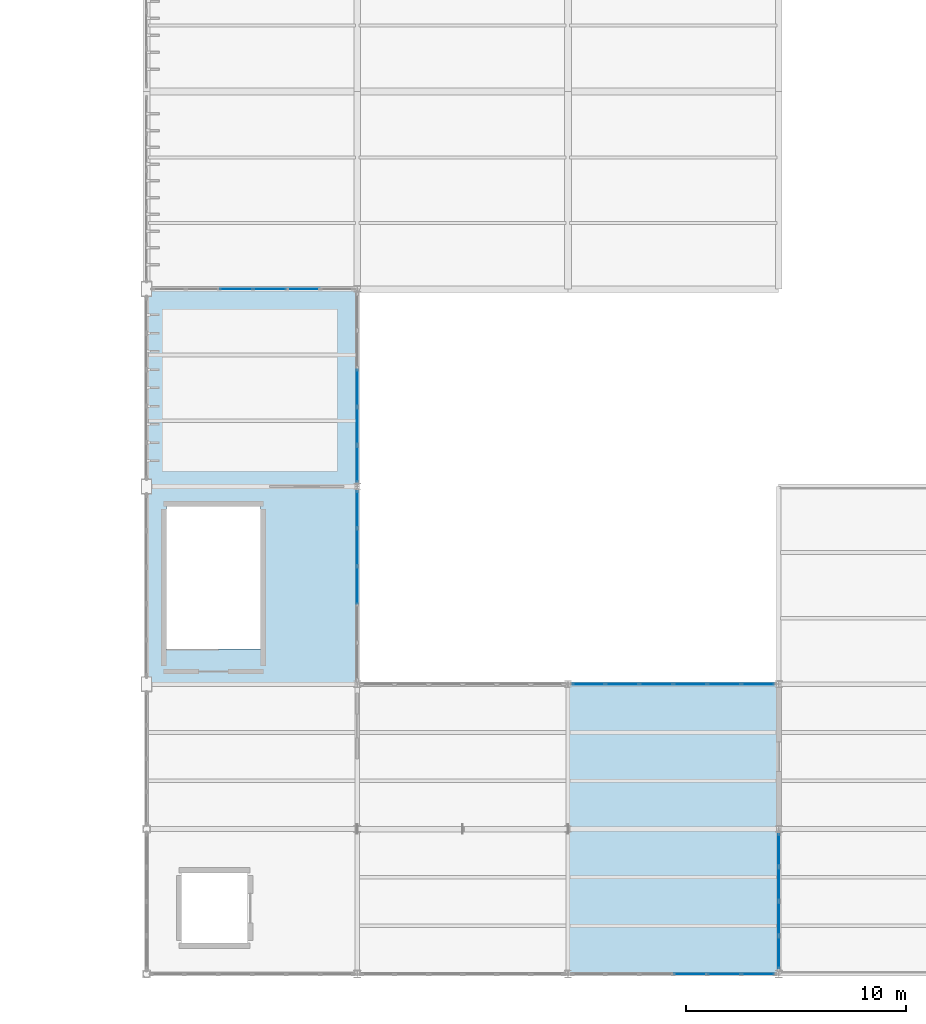
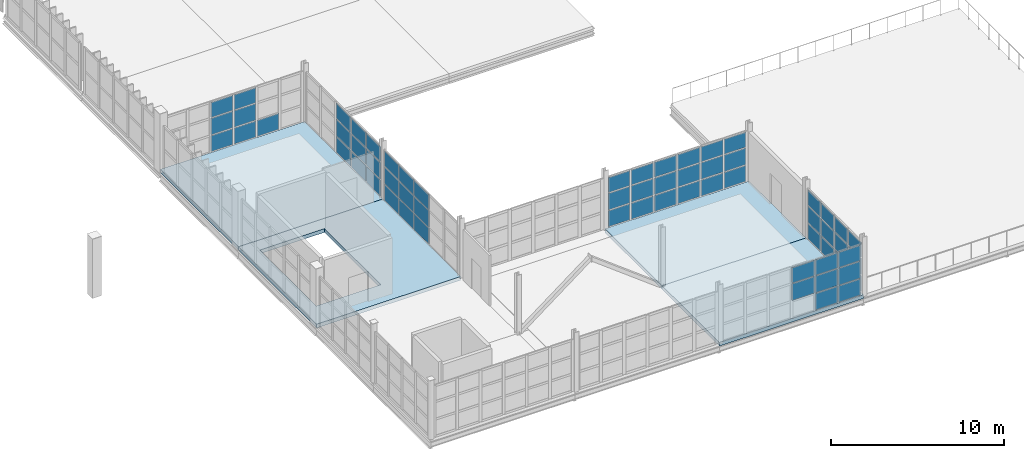
# One storey, part 61 of 82: 63 plates, 4 slabs, 6 elements without a shape of their own.
"""IFC4 building model written with IfcOpenShell, lengths in metres."""

from ifc_helpers import new_model, si_unit, direction, frame, origin, origin_2d, place, context, subcontext, project, spatial, polyline, rectangle, outline, extrude, material, layer, layer_set, type_object, element, aggregate, save


model = new_model("IFC4")

# Units and contexts
model_context = context("Model", 3, precision=1e-05, world=origin(), true_north=direction((0.0, 1.0)))
body_context = subcontext(model_context, "Body", "Model", "MODEL_VIEW")
ifc_project = project(units=[si_unit("LENGTHUNIT", "METRE"), si_unit("AREAUNIT", "SQUARE_METRE"), si_unit("VOLUMEUNIT", "CUBIC_METRE"), si_unit("PLANEANGLEUNIT", "RADIAN"), si_unit("MASSUNIT", "GRAM", prefix="KILO")], contexts=[model_context])

# Site, building, storey
site_placement = place(None, origin())
site = spatial("IfcSite", under=ifc_project, at=site_placement, CompositionType="ELEMENT")
building_placement = place(site_placement, origin())
building = spatial("IfcBuilding", under=site, at=building_placement, Name="Zarnetskaya Central Station", CompositionType="ELEMENT")
storey_placement = place(building_placement, frame((0.0, 0.0, 10.199951171875)))
storey = spatial("IfcBuildingStorey", under=building, at=storey_placement, Name="L02", CompositionType="ELEMENT", Elevation=10.199951171875)

# Curtain wall, plates
ifc_material_1 = material(Name="Low-E insulated glass", Category="glass")
ifc_layer_1 = layer(ifc_material_1, 0.1640625, Name="Low-E insulated glass", Category="glass")
ifc_layer_set_1 = layer_set([ifc_layer_1], Name="Low-E insulated glass")
curtain_wall_type = type_object("IfcCurtainWallType", Name="CW-SYS-07", PredefinedType="USERDEFINED", material=ifc_layer_set_1)
curtain_wall_1_placement = place(storey_placement, origin())
curtain_wall_1 = element("IfcCurtainWall", 1, at=curtain_wall_1_placement, inside=storey, type_object=curtain_wall_type, Name="Curtain wall CW-L02-141", ObjectType="CURTAIN WALL", PredefinedType="USERDEFINED")
ifc_layer_2 = layer(ifc_material_1, 0.031982421875, Name="Low-E insulated glass", Category="glass")
ifc_layer_set_2 = layer_set([ifc_layer_2], Name="Low-E insulated glass")
plate_type_1 = type_object("IfcPlateType", Name="CW-PAN-32", PredefinedType="CURTAIN_PANEL", material=ifc_layer_set_2)
plate_1_placement = place(storey_placement, frame((144.9423828125, 13.199951171875, 0.0703125), z_axis=(0.0, 0.0, 1.0), x_axis=(1.0, 0.0, 0.0)))
plate_1 = element("IfcPlate", 2, at=plate_1_placement, type_object=plate_type_1, Name="CW-06 panel 1.1", PredefinedType="CURTAIN_PANEL", context=body_context, shape_type="SweptSolid", body=[
    extrude(rectangle(XDim=1.445068359375, YDim=0.031982421875, at=origin_2d()), origin(), (0.0, 0.0, 1.0), 1.118896484375),
])
plate_2_placement = place(storey_placement, frame((144.9423828125, 13.199951171875, 1.2587890625), z_axis=(0.0, 0.0, 1.0), x_axis=(1.0, 0.0, 0.0)))
plate_2 = element("IfcPlate", 3, at=plate_2_placement, type_object=plate_type_1, Name="CW-06 panel 1.2", PredefinedType="CURTAIN_PANEL", context=body_context, shape_type="SweptSolid", body=[
    extrude(rectangle(XDim=1.445068359375, YDim=0.031982421875, at=origin_2d()), origin(), (0.0, 0.0, 1.0), 1.154052734375),
])
plate_3_placement = place(storey_placement, frame((144.9423828125, 13.199951171875, 2.48291015625), z_axis=(0.0, 0.0, 1.0), x_axis=(1.0, 0.0, 0.0)))
plate_3 = element("IfcPlate", 4, at=plate_3_placement, type_object=plate_type_1, Name="CW-06 panel 1.3", PredefinedType="CURTAIN_PANEL", context=body_context, shape_type="SweptSolid", body=[
    extrude(rectangle(XDim=1.445068359375, YDim=0.031982421875, at=origin_2d()), origin(), (0.0, 0.0, 1.0), 1.047119140625),
])
plate_4_placement = place(storey_placement, frame((146.47509765625, 13.199951171875, 0.0703125), z_axis=(0.0, 0.0, 1.0), x_axis=(1.0, 0.0, 0.0)))
plate_4 = element("IfcPlate", 5, at=plate_4_placement, type_object=plate_type_1, Name="CW-06 panel 2.1", PredefinedType="CURTAIN_PANEL", context=body_context, shape_type="SweptSolid", body=[
    extrude(rectangle(XDim=1.47998046875, YDim=0.031982421875, at=origin_2d()), origin(), (0.0, 0.0, 1.0), 1.118896484375),
])
plate_5_placement = place(storey_placement, frame((146.47509765625, 13.199951171875, 1.2587890625), z_axis=(0.0, 0.0, 1.0), x_axis=(1.0, 0.0, 0.0)))
plate_5 = element("IfcPlate", 6, at=plate_5_placement, type_object=plate_type_1, Name="CW-06 panel 2.2", PredefinedType="CURTAIN_PANEL", context=body_context, shape_type="SweptSolid", body=[
    extrude(rectangle(XDim=1.47998046875, YDim=0.031982421875, at=origin_2d()), origin(), (0.0, 0.0, 1.0), 1.154052734375),
])
plate_6_placement = place(storey_placement, frame((146.47509765625, 13.199951171875, 2.48291015625), z_axis=(0.0, 0.0, 1.0), x_axis=(1.0, 0.0, 0.0)))
plate_6 = element("IfcPlate", 7, at=plate_6_placement, type_object=plate_type_1, Name="CW-06 panel 2.3", PredefinedType="CURTAIN_PANEL", context=body_context, shape_type="SweptSolid", body=[
    extrude(rectangle(XDim=1.47998046875, YDim=0.031982421875, at=origin_2d()), origin(), (0.0, 0.0, 1.0), 1.047119140625),
])
plate_7_placement = place(storey_placement, frame((148.02490234375, 13.199951171875, 0.0703125), z_axis=(0.0, 0.0, 1.0), x_axis=(1.0, 0.0, 0.0)))
plate_7 = element("IfcPlate", 8, at=plate_7_placement, type_object=plate_type_1, Name="CW-06 panel 3.1", PredefinedType="CURTAIN_PANEL", context=body_context, shape_type="SweptSolid", body=[
    extrude(rectangle(XDim=1.47998046875, YDim=0.031982421875, at=origin_2d()), origin(), (0.0, 0.0, 1.0), 1.118896484375),
])
plate_8_placement = place(storey_placement, frame((148.02490234375, 13.199951171875, 1.2587890625), z_axis=(0.0, 0.0, 1.0), x_axis=(1.0, 0.0, 0.0)))
plate_8 = element("IfcPlate", 9, at=plate_8_placement, type_object=plate_type_1, Name="CW-06 panel 3.2", PredefinedType="CURTAIN_PANEL", context=body_context, shape_type="SweptSolid", body=[
    extrude(rectangle(XDim=1.47998046875, YDim=0.031982421875, at=origin_2d()), origin(), (0.0, 0.0, 1.0), 1.154052734375),
])
plate_9_placement = place(storey_placement, frame((148.02490234375, 13.199951171875, 2.48291015625), z_axis=(0.0, 0.0, 1.0), x_axis=(1.0, 0.0, 0.0)))
plate_9 = element("IfcPlate", 10, at=plate_9_placement, type_object=plate_type_1, Name="CW-06 panel 3.3", PredefinedType="CURTAIN_PANEL", context=body_context, shape_type="SweptSolid", body=[
    extrude(rectangle(XDim=1.47998046875, YDim=0.031982421875, at=origin_2d()), origin(), (0.0, 0.0, 1.0), 1.047119140625),
])
plate_10_placement = place(storey_placement, frame((149.574951171875, 13.199951171875, 0.0703125), z_axis=(0.0, 0.0, 1.0), x_axis=(1.0, 0.0, 0.0)))
plate_10 = element("IfcPlate", 11, at=plate_10_placement, type_object=plate_type_1, Name="CW-06 panel 4.1", PredefinedType="CURTAIN_PANEL", context=body_context, shape_type="SweptSolid", body=[
    extrude(rectangle(XDim=1.47998046875, YDim=0.031982421875, at=origin_2d()), origin(), (0.0, 0.0, 1.0), 1.118896484375),
])
plate_11_placement = place(storey_placement, frame((149.574951171875, 13.199951171875, 1.2587890625), z_axis=(0.0, 0.0, 1.0), x_axis=(1.0, 0.0, 0.0)))
plate_11 = element("IfcPlate", 12, at=plate_11_placement, type_object=plate_type_1, Name="CW-06 panel 4.2", PredefinedType="CURTAIN_PANEL", context=body_context, shape_type="SweptSolid", body=[
    extrude(rectangle(XDim=1.47998046875, YDim=0.031982421875, at=origin_2d()), origin(), (0.0, 0.0, 1.0), 1.154052734375),
])
plate_12_placement = place(storey_placement, frame((149.574951171875, 13.199951171875, 2.48291015625), z_axis=(0.0, 0.0, 1.0), x_axis=(1.0, 0.0, 0.0)))
plate_12 = element("IfcPlate", 13, at=plate_12_placement, type_object=plate_type_1, Name="CW-06 panel 4.3", PredefinedType="CURTAIN_PANEL", context=body_context, shape_type="SweptSolid", body=[
    extrude(rectangle(XDim=1.47998046875, YDim=0.031982421875, at=origin_2d()), origin(), (0.0, 0.0, 1.0), 1.047119140625),
])
plate_13_placement = place(storey_placement, frame((151.125, 13.199951171875, 0.0703125), z_axis=(0.0, 0.0, 1.0), x_axis=(1.0, 0.0, 0.0)))
plate_13 = element("IfcPlate", 14, at=plate_13_placement, type_object=plate_type_1, Name="CW-06 panel 5.1", PredefinedType="CURTAIN_PANEL", context=body_context, shape_type="SweptSolid", body=[
    extrude(rectangle(XDim=1.47998046875, YDim=0.031982421875, at=origin_2d()), origin(), (0.0, 0.0, 1.0), 1.118896484375),
])
plate_14_placement = place(storey_placement, frame((151.125, 13.199951171875, 1.2587890625), z_axis=(0.0, 0.0, 1.0), x_axis=(1.0, 0.0, 0.0)))
plate_14 = element("IfcPlate", 15, at=plate_14_placement, type_object=plate_type_1, Name="CW-06 panel 5.2", PredefinedType="CURTAIN_PANEL", context=body_context, shape_type="SweptSolid", body=[
    extrude(rectangle(XDim=1.47998046875, YDim=0.031982421875, at=origin_2d()), origin(), (0.0, 0.0, 1.0), 1.154052734375),
])
plate_15_placement = place(storey_placement, frame((151.125, 13.199951171875, 2.48291015625), z_axis=(0.0, 0.0, 1.0), x_axis=(1.0, 0.0, 0.0)))
plate_15 = element("IfcPlate", 16, at=plate_15_placement, type_object=plate_type_1, Name="CW-06 panel 5.3", PredefinedType="CURTAIN_PANEL", context=body_context, shape_type="SweptSolid", body=[
    extrude(rectangle(XDim=1.47998046875, YDim=0.031982421875, at=origin_2d()), origin(), (0.0, 0.0, 1.0), 1.047119140625),
])
plate_16_placement = place(storey_placement, frame((152.657470703125, 13.199951171875, 0.0703125), z_axis=(0.0, 0.0, 1.0), x_axis=(1.0, 0.0, 0.0)))
plate_16 = element("IfcPlate", 17, at=plate_16_placement, type_object=plate_type_1, Name="CW-06 panel 6.1", PredefinedType="CURTAIN_PANEL", context=body_context, shape_type="SweptSolid", body=[
    extrude(rectangle(XDim=1.445068359375, YDim=0.031982421875, at=origin_2d()), origin(), (0.0, 0.0, 1.0), 1.118896484375),
])
plate_17_placement = place(storey_placement, frame((152.657470703125, 13.199951171875, 1.2587890625), z_axis=(0.0, 0.0, 1.0), x_axis=(1.0, 0.0, 0.0)))
plate_17 = element("IfcPlate", 18, at=plate_17_placement, type_object=plate_type_1, Name="CW-06 panel 6.2", PredefinedType="CURTAIN_PANEL", context=body_context, shape_type="SweptSolid", body=[
    extrude(rectangle(XDim=1.445068359375, YDim=0.031982421875, at=origin_2d()), origin(), (0.0, 0.0, 1.0), 1.154052734375),
])
plate_18_placement = place(storey_placement, frame((152.657470703125, 13.199951171875, 2.48291015625), z_axis=(0.0, 0.0, 1.0), x_axis=(1.0, 0.0, 0.0)))
plate_18 = element("IfcPlate", 19, at=plate_18_placement, type_object=plate_type_1, Name="CW-06 panel 6.3", PredefinedType="CURTAIN_PANEL", context=body_context, shape_type="SweptSolid", body=[
    extrude(rectangle(XDim=1.445068359375, YDim=0.031982421875, at=origin_2d()), origin(), (0.0, 0.0, 1.0), 1.047119140625),
])
aggregate(curtain_wall_1, [plate_1, plate_2, plate_3, plate_4, plate_5, plate_6, plate_7, plate_8, plate_9, plate_10, plate_11, plate_12, plate_13, plate_14, plate_15, plate_16, plate_17, plate_18])

curtain_wall_2_placement = place(storey_placement, origin())
curtain_wall_2 = element("IfcCurtainWall", 20, at=curtain_wall_2_placement, inside=storey, type_object=curtain_wall_type, Name="Curtain wall CW-L02-137", ObjectType="CURTAIN WALL", PredefinedType="USERDEFINED")
ifc_layer_3 = layer(ifc_material_1, 0.035888671875, Name="Low-E insulated glass", Category="glass")
ifc_layer_set_3 = layer_set([ifc_layer_3], Name="Low-E insulated glass")
plate_type_2 = type_object("IfcPlateType", Name="CW-PAN-36", PredefinedType="CURTAIN_PANEL", material=ifc_layer_set_3)
plate_19_placement = place(storey_placement, frame((128.88330078125, 31.199951171875, 0.0703125), z_axis=(0.0, 0.0, 1.0), x_axis=(1.0, 0.0, 0.0)))
plate_19 = element("IfcPlate", 21, at=plate_19_placement, type_object=plate_type_2, Name="CW-06 panel 3.1", PredefinedType="CURTAIN_PANEL", context=body_context, shape_type="SweptSolid", body=[
    extrude(rectangle(XDim=1.46337890625, YDim=0.035888671875, at=origin_2d()), origin(), (0.0, 0.0, 1.0), 1.118896484375),
])
plate_20_placement = place(storey_placement, frame((128.88330078125, 31.199951171875, 1.2587890625), z_axis=(0.0, 0.0, 1.0), x_axis=(1.0, 0.0, 0.0)))
plate_20 = element("IfcPlate", 22, at=plate_20_placement, type_object=plate_type_2, Name="CW-06 panel 3.2", PredefinedType="CURTAIN_PANEL", context=body_context, shape_type="SweptSolid", body=[
    extrude(rectangle(XDim=1.46337890625, YDim=0.035888671875, at=origin_2d()), origin(), (0.0, 0.0, 1.0), 1.154052734375),
])
plate_21_placement = place(storey_placement, frame((128.88330078125, 31.199951171875, 2.48291015625), z_axis=(0.0, 0.0, 1.0), x_axis=(1.0, 0.0, 0.0)))
plate_21 = element("IfcPlate", 23, at=plate_21_placement, type_object=plate_type_2, Name="CW-06 panel 3.3", PredefinedType="CURTAIN_PANEL", context=body_context, shape_type="SweptSolid", body=[
    extrude(rectangle(XDim=1.46337890625, YDim=0.035888671875, at=origin_2d()), origin(), (0.0, 0.0, 1.0), 1.047119140625),
])
plate_22_placement = place(storey_placement, frame((130.416748046875, 31.199951171875, 0.0703125), z_axis=(0.0, 0.0, 1.0), x_axis=(1.0, 0.0, 0.0)))
plate_22 = element("IfcPlate", 24, at=plate_22_placement, type_object=plate_type_2, Name="CW-06 panel 4.1", PredefinedType="CURTAIN_PANEL", context=body_context, shape_type="SweptSolid", body=[
    extrude(rectangle(XDim=1.46337890625, YDim=0.035888671875, at=origin_2d()), origin(), (0.0, 0.0, 1.0), 1.118896484375),
])
plate_23_placement = place(storey_placement, frame((130.416748046875, 31.199951171875, 1.2587890625), z_axis=(0.0, 0.0, 1.0), x_axis=(1.0, 0.0, 0.0)))
plate_23 = element("IfcPlate", 25, at=plate_23_placement, type_object=plate_type_2, Name="CW-06 panel 4.2", PredefinedType="CURTAIN_PANEL", context=body_context, shape_type="SweptSolid", body=[
    extrude(rectangle(XDim=1.46337890625, YDim=0.035888671875, at=origin_2d()), origin(), (0.0, 0.0, 1.0), 1.154052734375),
])
plate_24_placement = place(storey_placement, frame((130.416748046875, 31.199951171875, 2.48291015625), z_axis=(0.0, 0.0, 1.0), x_axis=(1.0, 0.0, 0.0)))
plate_24 = element("IfcPlate", 26, at=plate_24_placement, type_object=plate_type_2, Name="CW-06 panel 4.3", PredefinedType="CURTAIN_PANEL", context=body_context, shape_type="SweptSolid", body=[
    extrude(rectangle(XDim=1.46337890625, YDim=0.035888671875, at=origin_2d()), origin(), (0.0, 0.0, 1.0), 1.047119140625),
])
plate_25_placement = place(storey_placement, frame((131.949951171875, 31.199951171875, 0.0703125), z_axis=(0.0, 0.0, 1.0), x_axis=(1.0, 0.0, 0.0)))
plate_25 = element("IfcPlate", 27, at=plate_25_placement, type_object=plate_type_2, Name="CW-06 panel 5.1", PredefinedType="CURTAIN_PANEL", context=body_context, shape_type="SweptSolid", body=[
    extrude(rectangle(XDim=1.46337890625, YDim=0.035888671875, at=origin_2d()), origin(), (0.0, 0.0, 1.0), 1.118896484375),
])
aggregate(curtain_wall_2, [plate_19, plate_20, plate_21, plate_22, plate_23, plate_24, plate_25])

curtain_wall_3_placement = place(storey_placement, origin())
curtain_wall_3 = element("IfcCurtainWall", 28, at=curtain_wall_3_placement, inside=storey, type_object=curtain_wall_type, Name="Curtain wall CW-L02-142", ObjectType="CURTAIN WALL", PredefinedType="USERDEFINED")
plate_26_placement = place(storey_placement, frame((153.60009765625, 5.646240234375, 0.080078125), z_axis=(0.0, 0.0, 1.0), x_axis=(0.0, -1.0, 0.0)))
plate_26 = element("IfcPlate", 29, at=plate_26_placement, type_object=plate_type_2, Name="CW-06 panel 1.1", PredefinedType="CURTAIN_PANEL", context=body_context, shape_type="SweptSolid", body=[
    extrude(rectangle(XDim=1.447509765625, YDim=0.035888671875, at=origin_2d()), origin(), (0.0, 0.0, 1.0), 1.10400390625),
])
plate_27_placement = place(storey_placement, frame((153.60009765625, 5.646240234375, 1.263916015625), z_axis=(0.0, 0.0, 1.0), x_axis=(0.0, -1.0, 0.0)))
plate_27 = element("IfcPlate", 30, at=plate_27_placement, type_object=plate_type_2, Name="CW-06 panel 1.2", PredefinedType="CURTAIN_PANEL", context=body_context, shape_type="SweptSolid", body=[
    extrude(rectangle(XDim=1.447509765625, YDim=0.035888671875, at=origin_2d()), origin(), (0.0, 0.0, 1.0), 1.14404296875),
])
plate_28_placement = place(storey_placement, frame((153.60009765625, 5.646240234375, 2.48828125), z_axis=(0.0, 0.0, 1.0), x_axis=(0.0, -1.0, 0.0)))
plate_28 = element("IfcPlate", 31, at=plate_28_placement, type_object=plate_type_2, Name="CW-06 panel 1.3", PredefinedType="CURTAIN_PANEL", context=body_context, shape_type="SweptSolid", body=[
    extrude(rectangle(XDim=1.447509765625, YDim=0.035888671875, at=origin_2d()), origin(), (0.0, 0.0, 1.0), 1.031982421875),
])
plate_29_placement = place(storey_placement, frame((153.60009765625, 4.0986328125, 0.080078125), z_axis=(0.0, 0.0, 1.0), x_axis=(0.0, -1.0, 0.0)))
plate_29 = element("IfcPlate", 32, at=plate_29_placement, type_object=plate_type_2, Name="CW-06 panel 2.1", PredefinedType="CURTAIN_PANEL", context=body_context, shape_type="SweptSolid", body=[
    extrude(rectangle(XDim=1.487548828125, YDim=0.035888671875, at=origin_2d()), origin(), (0.0, 0.0, 1.0), 1.10400390625),
])
plate_30_placement = place(storey_placement, frame((153.60009765625, 4.0986328125, 1.263916015625), z_axis=(0.0, 0.0, 1.0), x_axis=(0.0, -1.0, 0.0)))
plate_30 = element("IfcPlate", 33, at=plate_30_placement, type_object=plate_type_2, Name="CW-06 panel 2.2", PredefinedType="CURTAIN_PANEL", context=body_context, shape_type="SweptSolid", body=[
    extrude(rectangle(XDim=1.487548828125, YDim=0.035888671875, at=origin_2d()), origin(), (0.0, 0.0, 1.0), 1.14404296875),
])
plate_31_placement = place(storey_placement, frame((153.60009765625, 4.0986328125, 2.48828125), z_axis=(0.0, 0.0, 1.0), x_axis=(0.0, -1.0, 0.0)))
plate_31 = element("IfcPlate", 34, at=plate_31_placement, type_object=plate_type_2, Name="CW-06 panel 2.3", PredefinedType="CURTAIN_PANEL", context=body_context, shape_type="SweptSolid", body=[
    extrude(rectangle(XDim=1.487548828125, YDim=0.035888671875, at=origin_2d()), origin(), (0.0, 0.0, 1.0), 1.031982421875),
])
plate_32_placement = place(storey_placement, frame((153.60009765625, 2.53125, 0.080078125), z_axis=(0.0, 0.0, 1.0), x_axis=(0.0, -1.0, 0.0)))
plate_32 = element("IfcPlate", 35, at=plate_32_placement, type_object=plate_type_2, Name="CW-06 panel 3.1", PredefinedType="CURTAIN_PANEL", context=body_context, shape_type="SweptSolid", body=[
    extrude(rectangle(XDim=1.487548828125, YDim=0.035888671875, at=origin_2d()), origin(), (0.0, 0.0, 1.0), 1.10400390625),
])
plate_33_placement = place(storey_placement, frame((153.60009765625, 2.53125, 1.263916015625), z_axis=(0.0, 0.0, 1.0), x_axis=(0.0, -1.0, 0.0)))
plate_33 = element("IfcPlate", 36, at=plate_33_placement, type_object=plate_type_2, Name="CW-06 panel 3.2", PredefinedType="CURTAIN_PANEL", context=body_context, shape_type="SweptSolid", body=[
    extrude(rectangle(XDim=1.487548828125, YDim=0.035888671875, at=origin_2d()), origin(), (0.0, 0.0, 1.0), 1.14404296875),
])
plate_34_placement = place(storey_placement, frame((153.60009765625, 2.53125, 2.48828125), z_axis=(0.0, 0.0, 1.0), x_axis=(0.0, -1.0, 0.0)))
plate_34 = element("IfcPlate", 37, at=plate_34_placement, type_object=plate_type_2, Name="CW-06 panel 3.3", PredefinedType="CURTAIN_PANEL", context=body_context, shape_type="SweptSolid", body=[
    extrude(rectangle(XDim=1.487548828125, YDim=0.035888671875, at=origin_2d()), origin(), (0.0, 0.0, 1.0), 1.031982421875),
])
plate_35_placement = place(storey_placement, frame((153.60009765625, 0.983642578125, 0.080078125), z_axis=(0.0, 0.0, 1.0), x_axis=(0.0, -1.0, 0.0)))
plate_35 = element("IfcPlate", 38, at=plate_35_placement, type_object=plate_type_2, Name="CW-06 panel 4.1", PredefinedType="CURTAIN_PANEL", context=body_context, shape_type="SweptSolid", body=[
    extrude(rectangle(XDim=1.447509765625, YDim=0.035888671875, at=origin_2d()), origin(), (0.0, 0.0, 1.0), 1.10400390625),
])
plate_36_placement = place(storey_placement, frame((153.60009765625, 0.983642578125, 1.263916015625), z_axis=(0.0, 0.0, 1.0), x_axis=(0.0, -1.0, 0.0)))
plate_36 = element("IfcPlate", 39, at=plate_36_placement, type_object=plate_type_2, Name="CW-06 panel 4.2", PredefinedType="CURTAIN_PANEL", context=body_context, shape_type="SweptSolid", body=[
    extrude(rectangle(XDim=1.447509765625, YDim=0.035888671875, at=origin_2d()), origin(), (0.0, 0.0, 1.0), 1.14404296875),
])
plate_37_placement = place(storey_placement, frame((153.60009765625, 0.983642578125, 2.48828125), z_axis=(0.0, 0.0, 1.0), x_axis=(0.0, -1.0, 0.0)))
plate_37 = element("IfcPlate", 40, at=plate_37_placement, type_object=plate_type_2, Name="CW-06 panel 4.3", PredefinedType="CURTAIN_PANEL", context=body_context, shape_type="SweptSolid", body=[
    extrude(rectangle(XDim=1.447509765625, YDim=0.035888671875, at=origin_2d()), origin(), (0.0, 0.0, 1.0), 1.031982421875),
])
aggregate(curtain_wall_3, [plate_26, plate_27, plate_28, plate_29, plate_30, plate_31, plate_32, plate_33, plate_34, plate_35, plate_36, plate_37])

curtain_wall_4_placement = place(storey_placement, origin())
curtain_wall_4 = element("IfcCurtainWall", 41, at=curtain_wall_4_placement, inside=storey, type_object=curtain_wall_type, Name="Curtain wall CW-L02-138", ObjectType="CURTAIN WALL", PredefinedType="USERDEFINED")
ifc_layer_4 = layer(ifc_material_1, 0.0400390625, Name="Low-E insulated glass", Category="glass")
ifc_layer_set_4 = layer_set([ifc_layer_4], Name="Low-E insulated glass")
plate_type_3 = type_object("IfcPlateType", Name="CW-PAN-40", PredefinedType="CURTAIN_PANEL", material=ifc_layer_set_4)
plate_38_placement = place(storey_placement, frame((134.39990234375, 26.699951171875, 0.080078125), z_axis=(0.0, 0.0, 1.0), x_axis=(0.0, -1.0, 0.0)))
plate_38 = element("IfcPlate", 42, at=plate_38_placement, type_object=plate_type_3, Name="CW-06 panel 3.1", PredefinedType="CURTAIN_PANEL", context=body_context, shape_type="SweptSolid", body=[
    extrude(rectangle(XDim=1.659912109375, YDim=0.0400390625, at=origin_2d()), origin(), (0.0, 0.0, 1.0), 1.10400390625),
])
plate_39_placement = place(storey_placement, frame((134.39990234375, 26.699951171875, 1.263916015625), z_axis=(0.0, 0.0, 1.0), x_axis=(0.0, -1.0, 0.0)))
plate_39 = element("IfcPlate", 43, at=plate_39_placement, type_object=plate_type_3, Name="CW-06 panel 3.2", PredefinedType="CURTAIN_PANEL", context=body_context, shape_type="SweptSolid", body=[
    extrude(rectangle(XDim=1.659912109375, YDim=0.0400390625, at=origin_2d()), origin(), (0.0, 0.0, 1.0), 1.14404296875),
])
plate_40_placement = place(storey_placement, frame((134.39990234375, 26.699951171875, 2.48828125), z_axis=(0.0, 0.0, 1.0), x_axis=(0.0, -1.0, 0.0)))
plate_40 = element("IfcPlate", 44, at=plate_40_placement, type_object=plate_type_3, Name="CW-06 panel 3.3", PredefinedType="CURTAIN_PANEL", context=body_context, shape_type="SweptSolid", body=[
    extrude(rectangle(XDim=1.659912109375, YDim=0.0400390625, at=origin_2d()), origin(), (0.0, 0.0, 1.0), 1.031982421875),
])
plate_41_placement = place(storey_placement, frame((134.39990234375, 24.9599609375, 0.080078125), z_axis=(0.0, 0.0, 1.0), x_axis=(0.0, -1.0, 0.0)))
plate_41 = element("IfcPlate", 45, at=plate_41_placement, type_object=plate_type_3, Name="CW-06 panel 4.1", PredefinedType="CURTAIN_PANEL", context=body_context, shape_type="SweptSolid", body=[
    extrude(rectangle(XDim=1.659912109375, YDim=0.0400390625, at=origin_2d()), origin(), (0.0, 0.0, 1.0), 1.10400390625),
])
plate_42_placement = place(storey_placement, frame((134.39990234375, 24.9599609375, 1.263916015625), z_axis=(0.0, 0.0, 1.0), x_axis=(0.0, -1.0, 0.0)))
plate_42 = element("IfcPlate", 46, at=plate_42_placement, type_object=plate_type_3, Name="CW-06 panel 4.2", PredefinedType="CURTAIN_PANEL", context=body_context, shape_type="SweptSolid", body=[
    extrude(rectangle(XDim=1.659912109375, YDim=0.0400390625, at=origin_2d()), origin(), (0.0, 0.0, 1.0), 1.14404296875),
])
plate_43_placement = place(storey_placement, frame((134.39990234375, 24.9599609375, 2.48828125), z_axis=(0.0, 0.0, 1.0), x_axis=(0.0, -1.0, 0.0)))
plate_43 = element("IfcPlate", 47, at=plate_43_placement, type_object=plate_type_3, Name="CW-06 panel 4.3", PredefinedType="CURTAIN_PANEL", context=body_context, shape_type="SweptSolid", body=[
    extrude(rectangle(XDim=1.659912109375, YDim=0.0400390625, at=origin_2d()), origin(), (0.0, 0.0, 1.0), 1.031982421875),
])
plate_44_placement = place(storey_placement, frame((134.39990234375, 23.239990234375, 0.080078125), z_axis=(0.0, 0.0, 1.0), x_axis=(0.0, -1.0, 0.0)))
plate_44 = element("IfcPlate", 48, at=plate_44_placement, type_object=plate_type_3, Name="CW-06 panel 5.1", PredefinedType="CURTAIN_PANEL", context=body_context, shape_type="SweptSolid", body=[
    extrude(rectangle(XDim=1.6201171875, YDim=0.0400390625, at=origin_2d()), origin(), (0.0, 0.0, 1.0), 1.10400390625),
])
plate_45_placement = place(storey_placement, frame((134.39990234375, 23.239990234375, 1.263916015625), z_axis=(0.0, 0.0, 1.0), x_axis=(0.0, -1.0, 0.0)))
plate_45 = element("IfcPlate", 49, at=plate_45_placement, type_object=plate_type_3, Name="CW-06 panel 5.2", PredefinedType="CURTAIN_PANEL", context=body_context, shape_type="SweptSolid", body=[
    extrude(rectangle(XDim=1.6201171875, YDim=0.0400390625, at=origin_2d()), origin(), (0.0, 0.0, 1.0), 1.14404296875),
])
plate_46_placement = place(storey_placement, frame((134.39990234375, 23.239990234375, 2.48828125), z_axis=(0.0, 0.0, 1.0), x_axis=(0.0, -1.0, 0.0)))
plate_46 = element("IfcPlate", 50, at=plate_46_placement, type_object=plate_type_3, Name="CW-06 panel 5.3", PredefinedType="CURTAIN_PANEL", context=body_context, shape_type="SweptSolid", body=[
    extrude(rectangle(XDim=1.6201171875, YDim=0.0400390625, at=origin_2d()), origin(), (0.0, 0.0, 1.0), 1.031982421875),
])
aggregate(curtain_wall_4, [plate_38, plate_39, plate_40, plate_41, plate_42, plate_43, plate_44, plate_45, plate_46])

curtain_wall_5_placement = place(storey_placement, origin())
curtain_wall_5 = element("IfcCurtainWall", 51, at=curtain_wall_5_placement, inside=storey, type_object=curtain_wall_type, Name="Curtain wall CW-L02-143", ObjectType="CURTAIN WALL", PredefinedType="USERDEFINED")
plate_47_placement = place(storey_placement, frame((152.657470703125, 0.0, 0.06982421875), z_axis=(0.0, 0.0, 1.0), x_axis=(-1.0, 0.0, 0.0)))
plate_47 = element("IfcPlate", 52, at=plate_47_placement, type_object=plate_type_3, Name="CW-06 panel 1.1", PredefinedType="CURTAIN_PANEL", context=body_context, shape_type="SweptSolid", body=[
    extrude(rectangle(XDim=1.445068359375, YDim=0.0400390625, at=origin_2d()), origin(), (0.0, 0.0, 1.0), 1.133056640625),
])
plate_48_placement = place(storey_placement, frame((152.657470703125, 0.0, 1.27294921875), z_axis=(0.0, 0.0, 1.0), x_axis=(-1.0, 0.0, 0.0)))
plate_48 = element("IfcPlate", 53, at=plate_48_placement, type_object=plate_type_3, Name="CW-06 panel 1.2", PredefinedType="CURTAIN_PANEL", context=body_context, shape_type="SweptSolid", body=[
    extrude(rectangle(XDim=1.445068359375, YDim=0.0400390625, at=origin_2d()), origin(), (0.0, 0.0, 1.0), 1.1669921875),
])
plate_49_placement = place(storey_placement, frame((152.657470703125, 0.0, 2.510009765625), z_axis=(0.0, 0.0, 1.0), x_axis=(-1.0, 0.0, 0.0)))
plate_49 = element("IfcPlate", 54, at=plate_49_placement, type_object=plate_type_3, Name="CW-06 panel 1.3", PredefinedType="CURTAIN_PANEL", context=body_context, shape_type="SweptSolid", body=[
    extrude(rectangle(XDim=1.445068359375, YDim=0.0400390625, at=origin_2d()), origin(), (0.0, 0.0, 1.0), 1.06005859375),
])
plate_50_placement = place(storey_placement, frame((151.125, 0.0, 0.06982421875), z_axis=(0.0, 0.0, 1.0), x_axis=(-1.0, 0.0, 0.0)))
plate_50 = element("IfcPlate", 55, at=plate_50_placement, type_object=plate_type_3, Name="CW-06 panel 2.1", PredefinedType="CURTAIN_PANEL", context=body_context, shape_type="SweptSolid", body=[
    extrude(rectangle(XDim=1.47998046875, YDim=0.0400390625, at=origin_2d()), origin(), (0.0, 0.0, 1.0), 1.133056640625),
])
plate_51_placement = place(storey_placement, frame((151.125, 0.0, 1.27294921875), z_axis=(0.0, 0.0, 1.0), x_axis=(-1.0, 0.0, 0.0)))
plate_51 = element("IfcPlate", 56, at=plate_51_placement, type_object=plate_type_3, Name="CW-06 panel 2.2", PredefinedType="CURTAIN_PANEL", context=body_context, shape_type="SweptSolid", body=[
    extrude(rectangle(XDim=1.47998046875, YDim=0.0400390625, at=origin_2d()), origin(), (0.0, 0.0, 1.0), 1.1669921875),
])
plate_52_placement = place(storey_placement, frame((151.125, 0.0, 2.510009765625), z_axis=(0.0, 0.0, 1.0), x_axis=(-1.0, 0.0, 0.0)))
plate_52 = element("IfcPlate", 57, at=plate_52_placement, type_object=plate_type_3, Name="CW-06 panel 2.3", PredefinedType="CURTAIN_PANEL", context=body_context, shape_type="SweptSolid", body=[
    extrude(rectangle(XDim=1.47998046875, YDim=0.0400390625, at=origin_2d()), origin(), (0.0, 0.0, 1.0), 1.06005859375),
])
plate_53_placement = place(storey_placement, frame((149.574951171875, 0.0, 1.27294921875), z_axis=(0.0, 0.0, 1.0), x_axis=(-1.0, 0.0, 0.0)))
plate_53 = element("IfcPlate", 58, at=plate_53_placement, type_object=plate_type_3, Name="CW-06 panel 3.2", PredefinedType="CURTAIN_PANEL", context=body_context, shape_type="SweptSolid", body=[
    extrude(rectangle(XDim=1.47998046875, YDim=0.0400390625, at=origin_2d()), origin(), (0.0, 0.0, 1.0), 1.1669921875),
])
plate_54_placement = place(storey_placement, frame((149.574951171875, 0.0, 2.510009765625), z_axis=(0.0, 0.0, 1.0), x_axis=(-1.0, 0.0, 0.0)))
plate_54 = element("IfcPlate", 59, at=plate_54_placement, type_object=plate_type_3, Name="CW-06 panel 3.3", PredefinedType="CURTAIN_PANEL", context=body_context, shape_type="SweptSolid", body=[
    extrude(rectangle(XDim=1.47998046875, YDim=0.0400390625, at=origin_2d()), origin(), (0.0, 0.0, 1.0), 1.06005859375),
])
aggregate(curtain_wall_5, [plate_47, plate_48, plate_49, plate_50, plate_51, plate_52, plate_53, plate_54])

curtain_wall_6_placement = place(storey_placement, origin())
curtain_wall_6 = element("IfcCurtainWall", 60, at=curtain_wall_6_placement, inside=storey, type_object=curtain_wall_type, Name="Curtain wall CW-L02-139", ObjectType="CURTAIN WALL", PredefinedType="USERDEFINED")
ifc_layer_5 = layer(ifc_material_1, 0.0439453125, Name="Low-E insulated glass", Category="glass")
ifc_layer_set_5 = layer_set([ifc_layer_5], Name="Low-E insulated glass")
plate_type_4 = type_object("IfcPlateType", Name="CW-PAN-44", PredefinedType="CURTAIN_PANEL", material=ifc_layer_set_5)
plate_55_placement = place(storey_placement, frame((134.39990234375, 21.16259765625, 0.0703125), z_axis=(0.0, 0.0, 1.0), x_axis=(0.0, -1.0, 0.0)))
plate_55 = element("IfcPlate", 61, at=plate_55_placement, type_object=plate_type_4, Name="CW-06 panel 1.1", PredefinedType="CURTAIN_PANEL", context=body_context, shape_type="SweptSolid", body=[
    extrude(rectangle(XDim=1.635009765625, YDim=0.0439453125, at=origin_2d()), origin(), (0.0, 0.0, 1.0), 1.118896484375),
])
plate_56_placement = place(storey_placement, frame((134.39990234375, 21.16259765625, 1.2587890625), z_axis=(0.0, 0.0, 1.0), x_axis=(0.0, -1.0, 0.0)))
plate_56 = element("IfcPlate", 62, at=plate_56_placement, type_object=plate_type_4, Name="CW-06 panel 1.2", PredefinedType="CURTAIN_PANEL", context=body_context, shape_type="SweptSolid", body=[
    extrude(rectangle(XDim=1.635009765625, YDim=0.0439453125, at=origin_2d()), origin(), (0.0, 0.0, 1.0), 1.154052734375),
])
plate_57_placement = place(storey_placement, frame((134.39990234375, 21.16259765625, 2.48291015625), z_axis=(0.0, 0.0, 1.0), x_axis=(0.0, -1.0, 0.0)))
plate_57 = element("IfcPlate", 63, at=plate_57_placement, type_object=plate_type_4, Name="CW-06 panel 1.3", PredefinedType="CURTAIN_PANEL", context=body_context, shape_type="SweptSolid", body=[
    extrude(rectangle(XDim=1.635009765625, YDim=0.0439453125, at=origin_2d()), origin(), (0.0, 0.0, 1.0), 1.047119140625),
])
plate_58_placement = place(storey_placement, frame((134.39990234375, 19.43994140625, 0.0703125), z_axis=(0.0, 0.0, 1.0), x_axis=(0.0, -1.0, 0.0)))
plate_58 = element("IfcPlate", 64, at=plate_58_placement, type_object=plate_type_4, Name="CW-06 panel 2.1", PredefinedType="CURTAIN_PANEL", context=body_context, shape_type="SweptSolid", body=[
    extrude(rectangle(XDim=1.669921875, YDim=0.0439453125, at=origin_2d()), origin(), (0.0, 0.0, 1.0), 1.118896484375),
])
plate_59_placement = place(storey_placement, frame((134.39990234375, 19.43994140625, 1.2587890625), z_axis=(0.0, 0.0, 1.0), x_axis=(0.0, -1.0, 0.0)))
plate_59 = element("IfcPlate", 65, at=plate_59_placement, type_object=plate_type_4, Name="CW-06 panel 2.2", PredefinedType="CURTAIN_PANEL", context=body_context, shape_type="SweptSolid", body=[
    extrude(rectangle(XDim=1.669921875, YDim=0.0439453125, at=origin_2d()), origin(), (0.0, 0.0, 1.0), 1.154052734375),
])
plate_60_placement = place(storey_placement, frame((134.39990234375, 19.43994140625, 2.48291015625), z_axis=(0.0, 0.0, 1.0), x_axis=(0.0, -1.0, 0.0)))
plate_60 = element("IfcPlate", 66, at=plate_60_placement, type_object=plate_type_4, Name="CW-06 panel 2.3", PredefinedType="CURTAIN_PANEL", context=body_context, shape_type="SweptSolid", body=[
    extrude(rectangle(XDim=1.669921875, YDim=0.0439453125, at=origin_2d()), origin(), (0.0, 0.0, 1.0), 1.047119140625),
])
plate_61_placement = place(storey_placement, frame((134.39990234375, 17.699951171875, 0.0703125), z_axis=(0.0, 0.0, 1.0), x_axis=(0.0, -1.0, 0.0)))
plate_61 = element("IfcPlate", 67, at=plate_61_placement, type_object=plate_type_4, Name="CW-06 panel 3.1", PredefinedType="CURTAIN_PANEL", context=body_context, shape_type="SweptSolid", body=[
    extrude(rectangle(XDim=1.669921875, YDim=0.0439453125, at=origin_2d()), origin(), (0.0, 0.0, 1.0), 1.118896484375),
])
plate_62_placement = place(storey_placement, frame((134.39990234375, 17.699951171875, 1.2587890625), z_axis=(0.0, 0.0, 1.0), x_axis=(0.0, -1.0, 0.0)))
plate_62 = element("IfcPlate", 68, at=plate_62_placement, type_object=plate_type_4, Name="CW-06 panel 3.2", PredefinedType="CURTAIN_PANEL", context=body_context, shape_type="SweptSolid", body=[
    extrude(rectangle(XDim=1.669921875, YDim=0.0439453125, at=origin_2d()), origin(), (0.0, 0.0, 1.0), 1.154052734375),
])
plate_63_placement = place(storey_placement, frame((134.39990234375, 17.699951171875, 2.48291015625), z_axis=(0.0, 0.0, 1.0), x_axis=(0.0, -1.0, 0.0)))
plate_63 = element("IfcPlate", 69, at=plate_63_placement, type_object=plate_type_4, Name="CW-06 panel 3.3", PredefinedType="CURTAIN_PANEL", context=body_context, shape_type="SweptSolid", body=[
    extrude(rectangle(XDim=1.669921875, YDim=0.0439453125, at=origin_2d()), origin(), (0.0, 0.0, 1.0), 1.047119140625),
])
aggregate(curtain_wall_6, [plate_55, plate_56, plate_57, plate_58, plate_59, plate_60, plate_61, plate_62, plate_63])

# Slabs
ifc_material_2 = material(Name="Concrete C30/37", Category="concrete")
ifc_layer_6 = layer(ifc_material_2, 0.260009765625, Name="Concrete C30/37", Category="concrete")
ifc_layer_set_6 = layer_set([ifc_layer_6], Name="Concrete C30/37")
slab_type = type_object("IfcSlabType", Name="SLAB-L02-260", PredefinedType="FLOOR", material=ifc_layer_set_6)
slab_1_placement = place(storey_placement, frame((0.0, 0.0, -0.260009765625)))
element("IfcSlab", 70, at=slab_1_placement, inside=storey, type_object=slab_type, Name="L02 slab P-Q/3-4", PredefinedType="FLOOR", context=body_context, shape_type="SweptSolid", body=[
    extrude(outline(polyline([(124.800048828125, 13.199951171875), (134.39990234375, 13.199951171875), (134.39990234375, 22.199951171875), (124.800048828125, 22.199951171875), (124.800048828125, 13.199951171875)]), holes=[polyline([(125.699951171875, 14.804931640625), (130.0, 14.804931640625), (130.0, 21.300048828125), (125.699951171875, 21.300048828125), (125.699951171875, 14.804931640625)])]), origin(), (0.0, 0.0, 1.0), 0.260009765625),
])
slab_2_placement = place(storey_placement, frame((0.0, 0.0, -0.260009765625)))
element("IfcSlab", 71, at=slab_2_placement, inside=storey, type_object=slab_type, Name="L02 slab P-Q/4-5", PredefinedType="FLOOR", context=body_context, shape_type="SweptSolid", body=[
    extrude(outline(polyline([(124.800048828125, 22.199951171875), (134.39990234375, 22.199951171875), (134.39990234375, 31.199951171875), (124.800048828125, 31.199951171875), (124.800048828125, 22.199951171875)])), origin(), (0.0, 0.0, 1.0), 0.260009765625),
])
slab_3_placement = place(storey_placement, frame((0.0, 0.0, -0.260009765625)))
element("IfcSlab", 72, at=slab_3_placement, inside=storey, type_object=slab_type, Name="L02 slab R-S/1-2", PredefinedType="FLOOR", context=body_context, shape_type="SweptSolid", body=[
    extrude(outline(polyline([(144.0, 0.0), (153.60009765625, 0.0), (153.60009765625, 6.60009765625), (144.0, 6.60009765625), (144.0, 0.0)])), origin(), (0.0, 0.0, 1.0), 0.260009765625),
])
slab_4_placement = place(storey_placement, frame((0.0, 0.0, -0.260009765625)))
element("IfcSlab", 73, at=slab_4_placement, inside=storey, type_object=slab_type, Name="L02 slab R-S/2-3", PredefinedType="FLOOR", context=body_context, shape_type="SweptSolid", body=[
    extrude(outline(polyline([(144.0, 6.60009765625), (153.60009765625, 6.60009765625), (153.60009765625, 13.199951171875), (144.0, 13.199951171875), (144.0, 6.60009765625)])), origin(), (0.0, 0.0, 1.0), 0.260009765625),
])

save(model, "model.ifc")
